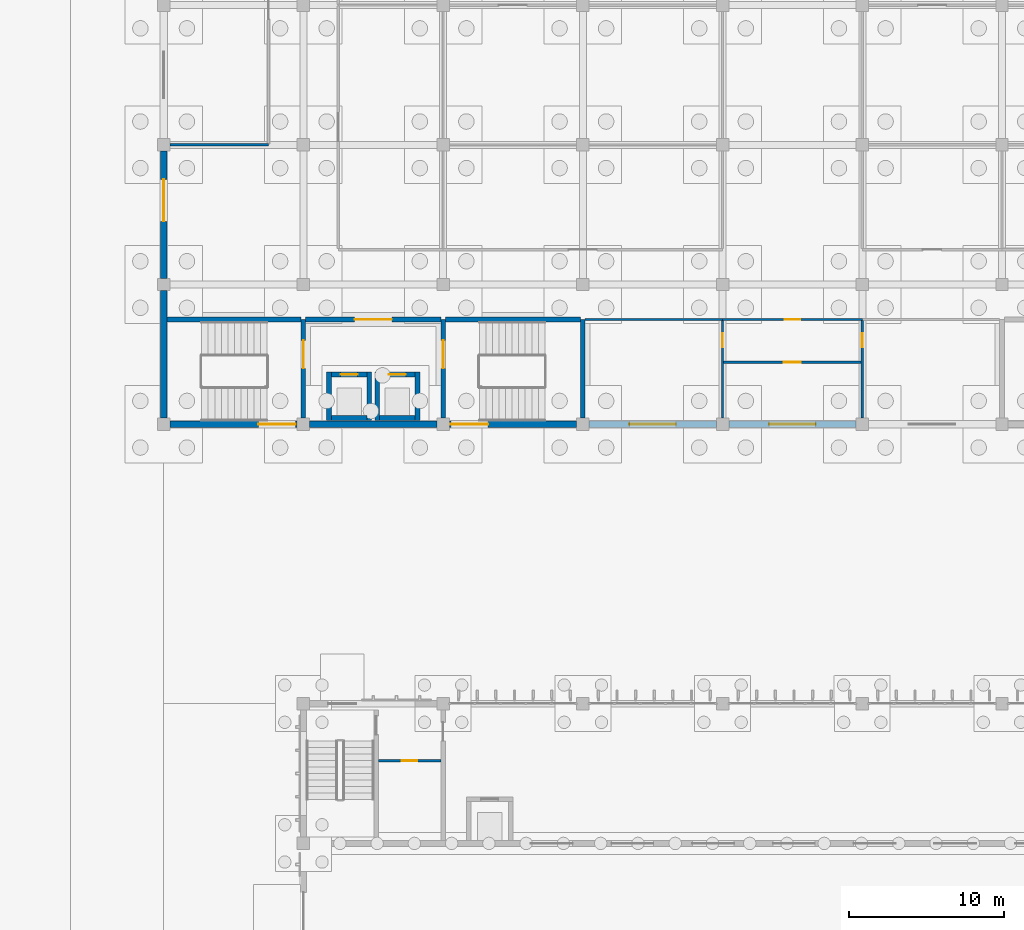
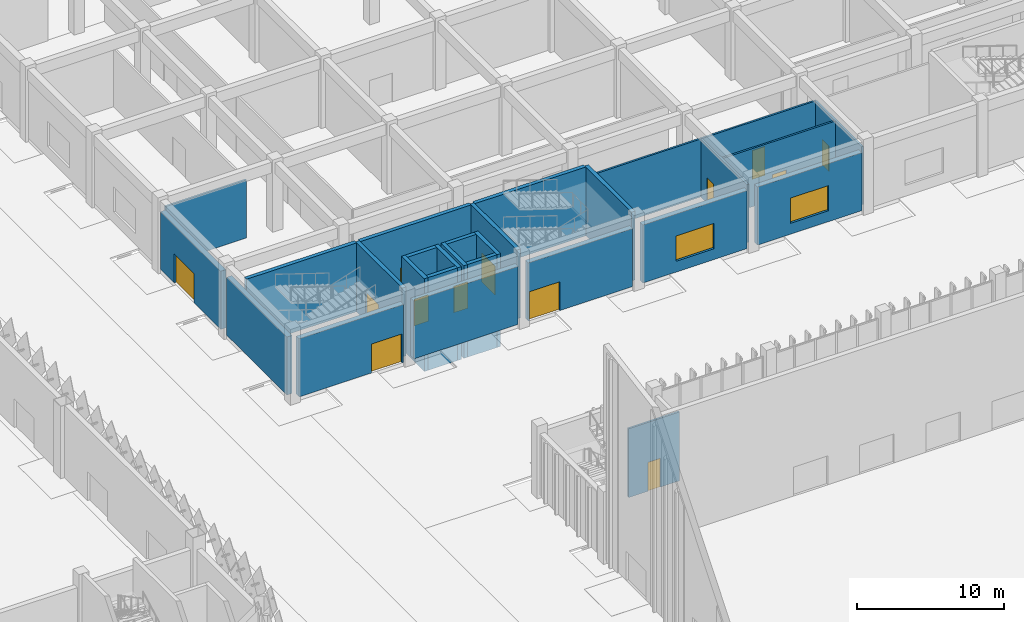
# One storey, part 101 of 198: 28 walls, 13 doors, 2 windows, 15 openings.
"""IFC4 building model written with IfcOpenShell, lengths in metres."""

from ifc_helpers import new_model, si_unit, direction, frame, frame_2d, origin, place, context, subcontext, project, spatial, rectangle, extrude, material, layer, layer_set, type_object, element, fill, save


model = new_model("IFC4")

# Units and contexts
model_context = context("Model", 3, precision=1e-05, world=origin(), true_north=direction((0.0, 1.0)))
body_context = subcontext(model_context, "Body", "Model", "MODEL_VIEW")
ifc_project = project(units=[si_unit("LENGTHUNIT", "METRE"), si_unit("AREAUNIT", "SQUARE_METRE"), si_unit("VOLUMEUNIT", "CUBIC_METRE"), si_unit("PLANEANGLEUNIT", "RADIAN"), si_unit("MASSUNIT", "GRAM", prefix="KILO")], contexts=[model_context])

# Site, building, storey
site_placement = place(None, origin())
site = spatial("IfcSite", under=ifc_project, at=site_placement, CompositionType="ELEMENT")
building_placement = place(site_placement, origin())
building = spatial("IfcBuilding", under=site, at=building_placement, Name="Opaline Strait Convention Centre", CompositionType="ELEMENT")
storey_placement = place(building_placement, origin())
storey = spatial("IfcBuildingStorey", under=building, at=storey_placement, Name="L00", CompositionType="ELEMENT", Elevation=0.0)

# Wall, opening, door
ifc_material_1 = material(Name="Gypsum board and steel stud partition", Category="steel")
ifc_layer_1 = layer(ifc_material_1, 0.14990234375)
ifc_layer_set_1 = layer_set([ifc_layer_1], Name="Gypsum board and steel stud partition")
wall_type_1 = type_object("IfcWallType", Name="Corridor partition 150 EI 60", PredefinedType="PARTITIONING", material=ifc_layer_set_1)
wall_1_placement = place(storey_placement, frame((292.85009765625, 68.324951171875, 0.0), z_axis=(0.0, 0.0, 1.0), x_axis=(1.0, 0.0, 0.0)))
wall_1 = element("IfcWall", 1, at=wall_1_placement, inside=storey, type_object=wall_type_1, Name="Lobby partition L00 NW", PredefinedType="PARTITIONING", context=body_context, shape_type="SweptSolid", body=[
    extrude(rectangle(XDim=4.0, YDim=0.14990234375, at=frame_2d((2.0, 0.0))), origin(), (0.0, 0.0, 1.0), 5.719970703125),
])
opening_1_placement = place(wall_1_placement, frame((1.5, 0.0, 0.0)))
opening_1 = element("IfcOpeningElement", 2, at=opening_1_placement, cuts=wall_1, Name="Opening B0-023", PredefinedType="OPENING", context=body_context, shape_type="SweptSolid", body=[
    extrude(rectangle(XDim=1.0, YDim=2.39990234375, at=frame_2d((0.5, 1.199951171875))), frame((0.0, 0.0849609375, 0.0), z_axis=(0.0, -1.0, 0.0), x_axis=(1.0, 0.0, 0.0)), (0.0, 0.0, 1.0), 0.169921875),
])
ifc_material_2 = material(Name="Solid timber door leaf", Category="wood")
door_type_1 = type_object("IfcDoorType", Name="Single room door 1000 x 2400", OperationType="SINGLE_SWING_LEFT", PredefinedType="DOOR", material=ifc_material_2)
door_1_placement = place(opening_1_placement, origin())
door_1 = element("IfcDoor", 3, at=door_1_placement, inside=storey, type_object=door_type_1, Name="Male WC door L00", ObjectType="BD3", OperationType="SINGLE_SWING_RIGHT", OverallHeight=2.39990234375, OverallWidth=1.0, PredefinedType="DOOR", context=body_context, shape_type="SweptSolid", body=[
    extrude(rectangle(XDim=1.0, YDim=2.39990234375, at=frame_2d((0.5, 1.199951171875))), frame((0.0, 0.02490234375, 0.0), z_axis=(0.0, -1.0, 0.0), x_axis=(1.0, 0.0, 0.0)), (0.0, 0.0, 1.0), 0.050048828125),
])
fill(opening_1, door_1)

# Walls
ifc_material_3 = material(Name="Gypsum board")
ifc_layer_2 = layer(ifc_material_3, 0.032470703125)
ifc_material_4 = material(Name="Steel stud and mineral wool", Category="steel")
ifc_layer_3 = layer(ifc_material_4, 0.0849609375)
ifc_layer_4 = layer(ifc_material_3, 0.032470703125)
ifc_layer_set_2 = layer_set([ifc_layer_2, ifc_layer_3, ifc_layer_4], Name="Gypsum board, Steel stud and mineral wool, Gypsum board")
wall_type_2 = type_object("IfcWallType", Name="Corridor partition 150 EI60", PredefinedType="PARTITIONING", material=ifc_layer_set_2)
wall_2_placement = place(storey_placement, frame((279.39990234375, 108.0, 0.0), z_axis=(0.0, 0.0, 1.0), x_axis=(1.0, 0.0, 0.0)))
element("IfcWall", 4, at=wall_2_placement, inside=storey, type_object=wall_type_2, Name="MPW1 partition Cloakroom 0.02 S", PredefinedType="PARTITIONING", context=body_context, shape_type="SweptSolid", body=[
    extrude(rectangle(XDim=6.35009765625, YDim=0.14990234375, at=frame_2d((3.175048828125, 0.0))), origin(), (0.0, 0.0, 1.0), 4.820068359375),
])
wall_3_placement = place(storey_placement, frame((306.14990234375, 96.75, 0.0), z_axis=(0.0, 0.0, 1.0), x_axis=(1.0, 0.0, 0.0)))
element("IfcWall", 5, at=wall_3_placement, inside=storey, type_object=wall_type_2, Name="MPW1 partition Men's WC 0.S N", PredefinedType="PARTITIONING", context=body_context, shape_type="SweptSolid", body=[
    extrude(rectangle(XDim=8.85009765625, YDim=0.14990234375, at=frame_2d((4.425048828125, 0.0))), origin(), (0.0, 0.0, 1.0), 4.820068359375),
])

# Wall, opening, door
wall_4_placement = place(storey_placement, frame((315.0, 96.75, 0.0), z_axis=(0.0, 0.0, 1.0), x_axis=(1.0, 0.0, 0.0)))
wall_4 = element("IfcWall", 6, at=wall_4_placement, inside=storey, type_object=wall_type_2, Name="MPW1 partition WC Lobby 0.S N", PredefinedType="PARTITIONING", context=body_context, shape_type="SweptSolid", body=[
    extrude(rectangle(XDim=9.0, YDim=0.14990234375, at=frame_2d((4.5, 0.0))), origin(), (0.0, 0.0, 1.0), 4.820068359375),
])
opening_2_placement = place(wall_4_placement, frame((4.0, 0.0, 0.0)))
opening_2 = element("IfcOpeningElement", 7, at=opening_2_placement, cuts=wall_4, Name="Opening M0-064", PredefinedType="OPENING", context=body_context, shape_type="SweptSolid", body=[
    extrude(rectangle(XDim=1.0, YDim=2.39990234375, at=frame_2d((0.5, 1.199951171875))), frame((0.0, 0.0849609375, 0.0), z_axis=(0.0, -1.0, 0.0), x_axis=(1.0, 0.0, 0.0)), (0.0, 0.0, 1.0), 0.169921875),
])
ifc_material_5 = material(Name="Solid-core timber leaf, steel frame door set", Category="steel")
door_type_2 = type_object("IfcDoorType", Name="Meeting room door FD30 1000 x 2400", OperationType="SINGLE_SWING_LEFT", PredefinedType="DOOR", material=ifc_material_5)
door_2_placement = place(opening_2_placement, origin())
door_2 = element("IfcDoor", 8, at=door_2_placement, inside=storey, type_object=door_type_2, Name="Door WC Lobby 0.S", ObjectType="MD8", OperationType="SINGLE_SWING_LEFT", OverallHeight=2.39990234375, OverallWidth=1.0, PredefinedType="DOOR", context=body_context, shape_type="SweptSolid", body=[
    extrude(rectangle(XDim=1.0, YDim=2.39990234375, at=frame_2d((0.5, 1.199951171875))), frame((0.0, 0.02490234375, 0.0), z_axis=(0.0, -1.0, 0.0), x_axis=(1.0, 0.0, 0.0)), (0.0, 0.0, 1.0), 0.050048828125),
])
fill(opening_2, door_2)

ifc_material_6 = material(Name="Concrete C40 precast", Category="concrete")
ifc_layer_5 = layer(ifc_material_6, 0.10009765625)
ifc_material_7 = material(Name="Mineral wool insulation")
ifc_layer_6 = layer(ifc_material_7, 0.14990234375)
ifc_layer_7 = layer(ifc_material_6, 0.14990234375)
ifc_layer_set_3 = layer_set([ifc_layer_5, ifc_layer_6, ifc_layer_7], Name="Concrete C40 precast, Mineral wool insulation, Concrete C40 precast")
wall_type_3 = type_object("IfcWallType", Name="External wall 400 insulated precast EI60", PredefinedType="STANDARD", material=ifc_layer_set_3)
wall_5_placement = place(storey_placement, frame((279.39990234375, 90.0, 0.0), z_axis=(0.0, 0.0, 1.0), x_axis=(1.0, 0.0, 0.0)))
wall_5 = element("IfcWall", 9, at=wall_5_placement, inside=storey, type_object=wall_type_3, Name="External wall S L00 32/L", PredefinedType="STANDARD", context=body_context, shape_type="SweptSolid", body=[
    extrude(rectangle(XDim=8.2001953125, YDim=0.39990234375, at=frame_2d((4.10009765625, 0.0))), origin(), (0.0, 0.0, 1.0), 4.820068359375),
])
opening_3_placement = place(wall_5_placement, frame((5.7001953125, 0.0, 0.0)))
opening_3 = element("IfcOpeningElement", 10, at=opening_3_placement, cuts=wall_5, Name="Opening M0-001", PredefinedType="OPENING", context=body_context, shape_type="SweptSolid", body=[
    extrude(rectangle(XDim=2.39990234375, YDim=2.39990234375, at=frame_2d((1.199951171875, 1.199951171875))), frame((0.0, 0.2099609375, 0.0), z_axis=(0.0, -1.0, 0.0), x_axis=(1.0, 0.0, 0.0)), (0.0, 0.0, 1.0), 0.419921875),
])
ifc_material_8 = material(Name="Aluminium framed glazed door", Category="aluminium")
door_type_3 = type_object("IfcDoorType", Name="Exit double door glazed 2400 x 2400", OperationType="DOUBLE_DOOR_SINGLE_SWING", PredefinedType="DOOR", material=ifc_material_8)
door_3_placement = place(opening_3_placement, frame((2.39990234375, 0.0, 0.0), z_axis=(0.0, 0.0, 1.0), x_axis=(-1.0, 0.0, 0.0)))
door_3 = element("IfcDoor", 11, at=door_3_placement, inside=storey, type_object=door_type_3, Name="Stair exit door Escape Stair S1", ObjectType="MD1", OperationType="DOUBLE_DOOR_SINGLE_SWING", OverallHeight=2.39990234375, OverallWidth=2.39990234375, PredefinedType="DOOR", context=body_context, shape_type="SweptSolid", body=[
    extrude(rectangle(XDim=2.39990234375, YDim=2.39990234375, at=frame_2d((1.199951171875, 1.199951171875))), frame((0.0, 0.02490234375, 0.0), z_axis=(0.0, -1.0, 0.0), x_axis=(1.0, 0.0, 0.0)), (0.0, 0.0, 1.0), 0.050048828125),
])
fill(opening_3, door_3)

# Wall
wall_6_placement = place(storey_placement, frame((288.39990234375, 90.0, 0.0), z_axis=(0.0, 0.0, 1.0), x_axis=(1.0, 0.0, 0.0)))
element("IfcWall", 12, at=wall_6_placement, inside=storey, type_object=wall_type_3, Name="External wall S L00 33/L", PredefinedType="STANDARD", context=body_context, shape_type="SweptSolid", body=[
    extrude(rectangle(XDim=8.2001953125, YDim=0.39990234375, at=frame_2d((4.10009765625, 0.0))), origin(), (0.0, 0.0, 1.0), 4.820068359375),
])

# Wall, opening, door
wall_7_placement = place(storey_placement, frame((297.39990234375, 90.0, 0.0), z_axis=(0.0, 0.0, 1.0), x_axis=(1.0, 0.0, 0.0)))
wall_7 = element("IfcWall", 13, at=wall_7_placement, inside=storey, type_object=wall_type_3, Name="External wall S L00 34/L", PredefinedType="STANDARD", context=body_context, shape_type="SweptSolid", body=[
    extrude(rectangle(XDim=8.2001953125, YDim=0.39990234375, at=frame_2d((4.10009765625, 0.0))), origin(), (0.0, 0.0, 1.0), 4.820068359375),
])
opening_4_placement = place(wall_7_placement, frame((0.10009765625, 0.0, 0.0)))
opening_4 = element("IfcOpeningElement", 14, at=opening_4_placement, cuts=wall_7, Name="Opening M0-002", PredefinedType="OPENING", context=body_context, shape_type="SweptSolid", body=[
    extrude(rectangle(XDim=2.39990234375, YDim=2.39990234375, at=frame_2d((1.199951171875, 1.199951171875))), frame((0.0, 0.2099609375, 0.0), z_axis=(0.0, -1.0, 0.0), x_axis=(1.0, 0.0, 0.0)), (0.0, 0.0, 1.0), 0.419921875),
])
door_4_placement = place(opening_4_placement, frame((2.39990234375, 0.0, 0.0), z_axis=(0.0, 0.0, 1.0), x_axis=(-1.0, 0.0, 0.0)))
door_4 = element("IfcDoor", 15, at=door_4_placement, inside=storey, type_object=door_type_3, Name="Stair exit door Escape Stair S2", ObjectType="MD1", OperationType="DOUBLE_DOOR_SINGLE_SWING", OverallHeight=2.39990234375, OverallWidth=2.39990234375, PredefinedType="DOOR", context=body_context, shape_type="SweptSolid", body=[
    extrude(rectangle(XDim=2.39990234375, YDim=2.39990234375, at=frame_2d((1.199951171875, 1.199951171875))), frame((0.0, 0.02490234375, 0.0), z_axis=(0.0, -1.0, 0.0), x_axis=(1.0, 0.0, 0.0)), (0.0, 0.0, 1.0), 0.050048828125),
])
fill(opening_4, door_4)

# Wall, opening, window
wall_8_placement = place(storey_placement, frame((306.39990234375, 90.0, 0.0), z_axis=(0.0, 0.0, 1.0), x_axis=(1.0, 0.0, 0.0)))
wall_8 = element("IfcWall", 16, at=wall_8_placement, inside=storey, type_object=wall_type_3, Name="External wall S L00 35/L", PredefinedType="STANDARD", context=body_context, shape_type="SweptSolid", body=[
    extrude(rectangle(XDim=8.2001953125, YDim=0.39990234375, at=frame_2d((4.10009765625, 0.0))), origin(), (0.0, 0.0, 1.0), 4.820068359375),
])
opening_5_placement = place(wall_8_placement, frame((2.60009765625, 0.0, 0.89990234375)))
opening_5 = element("IfcOpeningElement", 17, at=opening_5_placement, cuts=wall_8, Name="Opening MW2", PredefinedType="OPENING", context=body_context, shape_type="SweptSolid", body=[
    extrude(rectangle(XDim=3.0, YDim=2.10009765625, at=frame_2d((1.5, 1.050048828125))), frame((0.0, 0.2099609375, 0.0), z_axis=(0.0, -1.0, 0.0), x_axis=(1.0, 0.0, 0.0)), (0.0, 0.0, 1.0), 0.419921875),
])
ifc_material_9 = material(Name="Aluminium framed double glazing", Category="aluminium")
window_type = type_object("IfcWindowType", Name="Window 3000 x 2100", PartitioningType="TRIPLE_PANEL_VERTICAL", PredefinedType="WINDOW", material=ifc_material_9)
window_1_placement = place(opening_5_placement, origin())
window_1 = element("IfcWindow", 18, at=window_1_placement, inside=storey, type_object=window_type, Name="Window Men's WC 0.S S", OverallHeight=2.10009765625, OverallWidth=3.0, PartitioningType="TRIPLE_PANEL_VERTICAL", PredefinedType="WINDOW", context=body_context, shape_type="SweptSolid", body=[
    extrude(rectangle(XDim=3.0, YDim=2.10009765625, at=frame_2d((1.5, 1.050048828125))), frame((0.0, 0.030029296875, 0.0), z_axis=(0.0, -1.0, 0.0), x_axis=(1.0, 0.0, 0.0)), (0.0, 0.0, 1.0), 0.06005859375),
])
fill(opening_5, window_1)

wall_9_placement = place(storey_placement, frame((315.39990234375, 90.0, 0.0), z_axis=(0.0, 0.0, 1.0), x_axis=(1.0, 0.0, 0.0)))
wall_9 = element("IfcWall", 19, at=wall_9_placement, inside=storey, type_object=wall_type_3, Name="External wall S L00 36/L", PredefinedType="STANDARD", context=body_context, shape_type="SweptSolid", body=[
    extrude(rectangle(XDim=8.2001953125, YDim=0.39990234375, at=frame_2d((4.10009765625, 0.0))), origin(), (0.0, 0.0, 1.0), 4.820068359375),
])
opening_6_placement = place(wall_9_placement, frame((2.60009765625, 0.0, 0.89990234375)))
opening_6 = element("IfcOpeningElement", 20, at=opening_6_placement, cuts=wall_9, Name="Opening MW2", PredefinedType="OPENING", context=body_context, shape_type="SweptSolid", body=[
    extrude(rectangle(XDim=3.0, YDim=2.10009765625, at=frame_2d((1.5, 1.050048828125))), frame((0.0, 0.2099609375, 0.0), z_axis=(0.0, -1.0, 0.0), x_axis=(1.0, 0.0, 0.0)), (0.0, 0.0, 1.0), 0.419921875),
])
window_2_placement = place(opening_6_placement, origin())
window_2 = element("IfcWindow", 21, at=window_2_placement, inside=storey, type_object=window_type, Name="Window Accessible WC 0.S S", OverallHeight=2.10009765625, OverallWidth=3.0, PartitioningType="TRIPLE_PANEL_VERTICAL", PredefinedType="WINDOW", context=body_context, shape_type="SweptSolid", body=[
    extrude(rectangle(XDim=3.0, YDim=2.10009765625, at=frame_2d((1.5, 1.050048828125))), frame((0.0, 0.030029296875, 0.0), z_axis=(0.0, -1.0, 0.0), x_axis=(1.0, 0.0, 0.0)), (0.0, 0.0, 1.0), 0.06005859375),
])
fill(opening_6, window_2)

# Wall
wall_10_placement = place(storey_placement, frame((279.0, 90.39990234375, 0.0), z_axis=(0.0, 0.0, 1.0), x_axis=(0.0, 1.0, 0.0)))
element("IfcWall", 22, at=wall_10_placement, inside=storey, type_object=wall_type_3, Name="External wall W L00 32/L", PredefinedType="STANDARD", context=body_context, shape_type="SweptSolid", body=[
    extrude(rectangle(XDim=8.2001953125, YDim=0.39990234375, at=frame_2d((4.10009765625, 0.0))), origin(), (0.0, 0.0, 1.0), 4.820068359375),
])

# Wall, opening, door
wall_11_placement = place(storey_placement, frame((279.0, 99.39990234375, 0.0), z_axis=(0.0, 0.0, 1.0), x_axis=(0.0, 1.0, 0.0)))
wall_11 = element("IfcWall", 23, at=wall_11_placement, inside=storey, type_object=wall_type_3, Name="External wall W L00 32/M", PredefinedType="STANDARD", context=body_context, shape_type="SweptSolid", body=[
    extrude(rectangle(XDim=8.2001953125, YDim=0.39990234375, at=frame_2d((4.10009765625, 0.0))), origin(), (0.0, 0.0, 1.0), 4.820068359375),
])
opening_7_placement = place(wall_11_placement, frame((3.675048828125, 0.0, 0.0)))
opening_7 = element("IfcOpeningElement", 24, at=opening_7_placement, cuts=wall_11, Name="Opening M0-012", PredefinedType="OPENING", context=body_context, shape_type="SweptSolid", body=[
    extrude(rectangle(XDim=2.699951171875, YDim=2.39990234375, at=frame_2d((1.35009765625, 1.199951171875))), frame((0.0, 0.2099609375, 0.0), z_axis=(0.0, -1.0, 0.0), x_axis=(1.0, 0.0, 0.0)), (0.0, 0.0, 1.0), 0.419921875),
])
ifc_material_10 = material(Name="Fire-resisting glazed aluminium door", Category="aluminium")
door_type_4 = type_object("IfcDoorType", Name="Exit double door FD60 2700 x 2400", OperationType="DOUBLE_DOOR_SINGLE_SWING", PredefinedType="DOOR", material=ifc_material_10)
door_5_placement = place(opening_7_placement, origin())
door_5 = element("IfcDoor", 25, at=door_5_placement, inside=storey, type_object=door_type_4, Name="Exit door Exit Lobby 0.01", ObjectType="MD3", OperationType="DOUBLE_DOOR_SINGLE_SWING", OverallHeight=2.39990234375, OverallWidth=2.699951171875, PredefinedType="DOOR", context=body_context, shape_type="SweptSolid", body=[
    extrude(rectangle(XDim=2.699951171875, YDim=2.39990234375, at=frame_2d((1.35009765625, 1.199951171875))), frame((0.0, 0.02490234375, 0.0), z_axis=(0.0, -1.0, 0.0), x_axis=(1.0, 0.0, 0.0)), (0.0, 0.0, 1.0), 0.050048828125),
])
fill(opening_7, door_5)

ifc_material_11 = material(Name="Concrete C40", Category="concrete")
ifc_layer_8 = layer(ifc_material_11, 0.300048828125)
ifc_layer_set_4 = layer_set([ifc_layer_8], Name="Concrete C40")
wall_type_4 = type_object("IfcWallType", Name="RC core wall 300 C40", PredefinedType="SHEAR", material=ifc_layer_set_4)
wall_12_placement = place(storey_placement, frame((288.0, 90.39990234375, 0.0), z_axis=(0.0, 0.0, 1.0), x_axis=(0.0, 1.0, 0.0)))
wall_12 = element("IfcWall", 26, at=wall_12_placement, inside=storey, type_object=wall_type_4, Name="Core wall SW-L00", PredefinedType="SHEAR", context=body_context, shape_type="SweptSolid", body=[
    extrude(rectangle(XDim=6.35009765625, YDim=0.300048828125, at=frame_2d((3.175048828125, 0.0))), origin(), (0.0, 0.0, 1.0), 5.719970703125),
])
opening_8_placement = place(wall_12_placement, frame((3.2001953125, 0.0, 0.0)))
opening_8 = element("IfcOpeningElement", 27, at=opening_8_placement, cuts=wall_12, Name="Opening M0-018", PredefinedType="OPENING", context=body_context, shape_type="SweptSolid", body=[
    extrude(rectangle(XDim=1.800048828125, YDim=2.39990234375, at=frame_2d((0.89990234375, 1.199951171875))), frame((0.0, 0.159912109375, 0.0), z_axis=(0.0, -1.0, 0.0), x_axis=(1.0, 0.0, 0.0)), (0.0, 0.0, 1.0), 0.320068359375),
])
ifc_material_12 = material(Name="Steel Q235B", Category="steel")
door_type_5 = type_object("IfcDoorType", Name="Stair door FD60 1800 x 2400", OperationType="DOUBLE_DOOR_SINGLE_SWING", PredefinedType="DOOR", material=ifc_material_12)
door_6_placement = place(opening_8_placement, frame((1.800048828125, 0.0, 0.0), z_axis=(0.0, 0.0, 1.0), x_axis=(-1.0, 0.0, 0.0)))
door_6 = element("IfcDoor", 28, at=door_6_placement, inside=storey, type_object=door_type_5, Name="Escape stair S1 door L00", ObjectType="MD4", OperationType="DOUBLE_DOOR_SINGLE_SWING", OverallHeight=2.39990234375, OverallWidth=1.800048828125, PredefinedType="DOOR", context=body_context, shape_type="SweptSolid", body=[
    extrude(rectangle(XDim=1.800048828125, YDim=2.39990234375, at=frame_2d((0.89990234375, 1.199951171875))), frame((0.0, 0.02490234375, 0.0), z_axis=(0.0, -1.0, 0.0), x_axis=(1.0, 0.0, 0.0)), (0.0, 0.0, 1.0), 0.050048828125),
])
fill(opening_8, door_6)

wall_13_placement = place(storey_placement, frame((297.0, 90.39990234375, 0.0), z_axis=(0.0, 0.0, 1.0), x_axis=(0.0, 1.0, 0.0)))
wall_13 = element("IfcWall", 29, at=wall_13_placement, inside=storey, type_object=wall_type_4, Name="Core wall SW-L00", PredefinedType="SHEAR", context=body_context, shape_type="SweptSolid", body=[
    extrude(rectangle(XDim=6.35009765625, YDim=0.300048828125, at=frame_2d((3.175048828125, 0.0))), origin(), (0.0, 0.0, 1.0), 5.719970703125),
])
opening_9_placement = place(wall_13_placement, frame((3.2001953125, 0.0, 0.0)))
opening_9 = element("IfcOpeningElement", 30, at=opening_9_placement, cuts=wall_13, Name="Opening M0-019", PredefinedType="OPENING", context=body_context, shape_type="SweptSolid", body=[
    extrude(rectangle(XDim=1.800048828125, YDim=2.39990234375, at=frame_2d((0.89990234375, 1.199951171875))), frame((0.0, 0.159912109375, 0.0), z_axis=(0.0, -1.0, 0.0), x_axis=(1.0, 0.0, 0.0)), (0.0, 0.0, 1.0), 0.320068359375),
])
door_7_placement = place(opening_9_placement, origin())
door_7 = element("IfcDoor", 31, at=door_7_placement, inside=storey, type_object=door_type_5, Name="Escape stair S2 door L00", ObjectType="MD4", OperationType="DOUBLE_DOOR_SINGLE_SWING", OverallHeight=2.39990234375, OverallWidth=1.800048828125, PredefinedType="DOOR", context=body_context, shape_type="SweptSolid", body=[
    extrude(rectangle(XDim=1.800048828125, YDim=2.39990234375, at=frame_2d((0.89990234375, 1.199951171875))), frame((0.0, 0.02490234375, 0.0), z_axis=(0.0, -1.0, 0.0), x_axis=(1.0, 0.0, 0.0)), (0.0, 0.0, 1.0), 0.050048828125),
])
fill(opening_9, door_7)

# Walls
wall_14_placement = place(storey_placement, frame((306.0, 90.39990234375, 0.0), z_axis=(0.0, 0.0, 1.0), x_axis=(0.0, 1.0, 0.0)))
element("IfcWall", 32, at=wall_14_placement, inside=storey, type_object=wall_type_4, Name="Core wall SW-L00", PredefinedType="SHEAR", context=body_context, shape_type="SweptSolid", body=[
    extrude(rectangle(XDim=6.35009765625, YDim=0.300048828125, at=frame_2d((3.175048828125, 0.0))), origin(), (0.0, 0.0, 1.0), 5.719970703125),
])
wall_15_placement = place(storey_placement, frame((279.199951171875, 96.75, 0.0), z_axis=(0.0, 0.0, 1.0), x_axis=(1.0, 0.0, 0.0)))
element("IfcWall", 33, at=wall_15_placement, inside=storey, type_object=wall_type_4, Name="Core wall SW-L00", PredefinedType="SHEAR", context=body_context, shape_type="SweptSolid", body=[
    extrude(rectangle(XDim=8.650146484375, YDim=0.300048828125, at=frame_2d((4.3251953125, 0.0))), origin(), (0.0, 0.0, 1.0), 5.719970703125),
])

# Wall, opening, door
wall_16_placement = place(storey_placement, frame((288.14990234375, 96.75, 0.0), z_axis=(0.0, 0.0, 1.0), x_axis=(1.0, 0.0, 0.0)))
wall_16 = element("IfcWall", 34, at=wall_16_placement, inside=storey, type_object=wall_type_4, Name="Core wall SW-L00", PredefinedType="SHEAR", context=body_context, shape_type="SweptSolid", body=[
    extrude(rectangle(XDim=8.7001953125, YDim=0.300048828125, at=frame_2d((4.35009765625, 0.0))), origin(), (0.0, 0.0, 1.0), 5.719970703125),
])
opening_10_placement = place(wall_16_placement, frame((3.150146484375, 0.0, 0.0)))
opening_10 = element("IfcOpeningElement", 35, at=opening_10_placement, cuts=wall_16, Name="Opening M0-020", PredefinedType="OPENING", context=body_context, shape_type="SweptSolid", body=[
    extrude(rectangle(XDim=2.39990234375, YDim=2.39990234375, at=frame_2d((1.199951171875, 1.199951171875))), frame((0.0, 0.159912109375, 0.0), z_axis=(0.0, -1.0, 0.0), x_axis=(1.0, 0.0, 0.0)), (0.0, 0.0, 1.0), 0.320068359375),
])
door_type_6 = type_object("IfcDoorType", Name="Lift lobby double door FD60 2400 x 2400", OperationType="DOUBLE_DOOR_SINGLE_SWING", PredefinedType="DOOR", material=ifc_material_12)
door_8_placement = place(opening_10_placement, origin())
door_8 = element("IfcDoor", 36, at=door_8_placement, inside=storey, type_object=door_type_6, Name="Lift lobby SW door L00", ObjectType="MD5", OperationType="DOUBLE_DOOR_SINGLE_SWING", OverallHeight=2.39990234375, OverallWidth=2.39990234375, PredefinedType="DOOR", context=body_context, shape_type="SweptSolid", body=[
    extrude(rectangle(XDim=2.39990234375, YDim=2.39990234375, at=frame_2d((1.199951171875, 1.199951171875))), frame((0.0, 0.02490234375, 0.0), z_axis=(0.0, -1.0, 0.0), x_axis=(1.0, 0.0, 0.0)), (0.0, 0.0, 1.0), 0.050048828125),
])
fill(opening_10, door_8)

# Walls
wall_17_placement = place(storey_placement, frame((297.14990234375, 96.75, 0.0), z_axis=(0.0, 0.0, 1.0), x_axis=(1.0, 0.0, 0.0)))
element("IfcWall", 37, at=wall_17_placement, inside=storey, type_object=wall_type_4, Name="Core wall SW-L00", PredefinedType="SHEAR", context=body_context, shape_type="SweptSolid", body=[
    extrude(rectangle(XDim=8.7001953125, YDim=0.300048828125, at=frame_2d((4.35009765625, 0.0))), origin(), (0.0, 0.0, 1.0), 5.719970703125),
])
ifc_layer_9 = layer(ifc_material_11, 0.300048828125)
ifc_layer_set_5 = layer_set([ifc_layer_9], Name="Concrete C40")
wall_type_5 = type_object("IfcWallType", Name="RC lift shaft wall 300 C40", PredefinedType="SHEAR", material=ifc_layer_set_5)
for number, where, z_axis, x_axis, name in (
    (38, (289.64990234375, 90.25, -1.699951171875), (0.0, 0.0, 1.0), (0.0, 1.0, 0.0), "Lift shaft SW1 wall L00"),
    (39, (292.25, 90.25, -1.699951171875), (0.0, 0.0, 1.0), (0.0, 1.0, 0.0), "Lift shaft SW1 wall L00"),
):
    element("IfcWall", number, at=place(storey_placement, frame(where, z_axis=z_axis, x_axis=x_axis)), inside=storey, type_object=wall_type_5, Name=name, PredefinedType="SHEAR", context=body_context, shape_type="SweptSolid", body=[
        extrude(rectangle(XDim=3.10009765625, YDim=0.300048828125, at=frame_2d((1.550048828125, 0.0))), origin(), (0.0, 0.0, 1.0), 7.699951171875),
    ])
wall_18_placement = place(storey_placement, frame((289.800048828125, 90.39990234375, -1.699951171875), z_axis=(0.0, 0.0, 1.0), x_axis=(1.0, 0.0, 0.0)))
element("IfcWall", 40, at=wall_18_placement, inside=storey, type_object=wall_type_5, Name="Lift shaft SW1 wall L00", PredefinedType="SHEAR", context=body_context, shape_type="SweptSolid", body=[
    extrude(rectangle(XDim=2.300048828125, YDim=0.300048828125, at=frame_2d((1.14990234375, 0.0))), origin(), (0.0, 0.0, 1.0), 7.699951171875),
])

# Wall, opening, door
wall_19_placement = place(storey_placement, frame((289.800048828125, 93.199951171875, -1.699951171875), z_axis=(0.0, 0.0, 1.0), x_axis=(1.0, 0.0, 0.0)))
wall_19 = element("IfcWall", 41, at=wall_19_placement, inside=storey, type_object=wall_type_5, Name="Lift shaft SW1 wall L00", PredefinedType="SHEAR", context=body_context, shape_type="SweptSolid", body=[
    extrude(rectangle(XDim=2.300048828125, YDim=0.300048828125, at=frame_2d((1.14990234375, 0.0))), origin(), (0.0, 0.0, 1.0), 7.699951171875),
])
opening_11_placement = place(wall_19_placement, frame((0.599853515625, 0.0, 1.699951171875)))
opening_11 = element("IfcOpeningElement", 42, at=opening_11_placement, cuts=wall_19, Name="Opening M0-021", PredefinedType="OPENING", context=body_context, shape_type="SweptSolid", body=[
    extrude(rectangle(XDim=1.10009765625, YDim=2.199951171875, at=frame_2d((0.550048828125, 1.10009765625))), frame((0.0, 0.159912109375, 0.0), z_axis=(0.0, -1.0, 0.0), x_axis=(1.0, 0.0, 0.0)), (0.0, 0.0, 1.0), 0.320068359375),
])
ifc_material_13 = material(Name="Stainless steel 304", Category="steel")
door_type_7 = type_object("IfcDoorType", Name="Lift landing door FD60 1100 x 2200", OperationType="SLIDING_TO_LEFT", PredefinedType="DOOR", material=ifc_material_13)
door_9_placement = place(opening_11_placement, origin())
door_9 = element("IfcDoor", 43, at=door_9_placement, inside=storey, type_object=door_type_7, Name="Lift landing door SW1 L00", ObjectType="MD6", OperationType="SLIDING_TO_RIGHT", OverallHeight=2.199951171875, OverallWidth=1.10009765625, PredefinedType="DOOR", context=body_context, shape_type="SweptSolid", body=[
    extrude(rectangle(XDim=1.10009765625, YDim=2.199951171875, at=frame_2d((0.550048828125, 1.10009765625))), frame((0.0, 0.02490234375, 0.0), z_axis=(0.0, -1.0, 0.0), x_axis=(1.0, 0.0, 0.0)), (0.0, 0.0, 1.0), 0.050048828125),
])
fill(opening_11, door_9)

# Walls
for number, where, z_axis, x_axis, name in (
    (44, (292.75, 90.25, -1.699951171875), (0.0, 0.0, 1.0), (0.0, 1.0, 0.0), "Lift shaft SW2 wall L00"),
    (45, (295.35009765625, 90.25, -1.699951171875), (0.0, 0.0, 1.0), (0.0, 1.0, 0.0), "Lift shaft SW2 wall L00"),
):
    element("IfcWall", number, at=place(storey_placement, frame(where, z_axis=z_axis, x_axis=x_axis)), inside=storey, type_object=wall_type_5, Name=name, PredefinedType="SHEAR", context=body_context, shape_type="SweptSolid", body=[
        extrude(rectangle(XDim=3.10009765625, YDim=0.300048828125, at=frame_2d((1.550048828125, 0.0))), origin(), (0.0, 0.0, 1.0), 7.699951171875),
    ])
wall_20_placement = place(storey_placement, frame((292.89990234375, 90.39990234375, -1.699951171875), z_axis=(0.0, 0.0, 1.0), x_axis=(1.0, 0.0, 0.0)))
element("IfcWall", 46, at=wall_20_placement, inside=storey, type_object=wall_type_5, Name="Lift shaft SW2 wall L00", PredefinedType="SHEAR", context=body_context, shape_type="SweptSolid", body=[
    extrude(rectangle(XDim=2.300048828125, YDim=0.300048828125, at=frame_2d((1.14990234375, 0.0))), origin(), (0.0, 0.0, 1.0), 7.699951171875),
])

# Wall, opening, door
wall_21_placement = place(storey_placement, frame((292.89990234375, 93.199951171875, -1.699951171875), z_axis=(0.0, 0.0, 1.0), x_axis=(1.0, 0.0, 0.0)))
wall_21 = element("IfcWall", 47, at=wall_21_placement, inside=storey, type_object=wall_type_5, Name="Lift shaft SW2 wall L00", PredefinedType="SHEAR", context=body_context, shape_type="SweptSolid", body=[
    extrude(rectangle(XDim=2.300048828125, YDim=0.300048828125, at=frame_2d((1.14990234375, 0.0))), origin(), (0.0, 0.0, 1.0), 7.699951171875),
])
opening_12_placement = place(wall_21_placement, frame((0.60009765625, 0.0, 1.699951171875)))
opening_12 = element("IfcOpeningElement", 48, at=opening_12_placement, cuts=wall_21, Name="Opening M0-022", PredefinedType="OPENING", context=body_context, shape_type="SweptSolid", body=[
    extrude(rectangle(XDim=1.10009765625, YDim=2.199951171875, at=frame_2d((0.550048828125, 1.10009765625))), frame((0.0, 0.159912109375, 0.0), z_axis=(0.0, -1.0, 0.0), x_axis=(1.0, 0.0, 0.0)), (0.0, 0.0, 1.0), 0.320068359375),
])
door_10_placement = place(opening_12_placement, origin())
door_10 = element("IfcDoor", 49, at=door_10_placement, inside=storey, type_object=door_type_7, Name="Lift landing door SW2 L00", ObjectType="MD6", OperationType="SLIDING_TO_LEFT", OverallHeight=2.199951171875, OverallWidth=1.10009765625, PredefinedType="DOOR", context=body_context, shape_type="SweptSolid", body=[
    extrude(rectangle(XDim=1.10009765625, YDim=2.199951171875, at=frame_2d((0.550048828125, 1.10009765625))), frame((0.0, 0.02490234375, 0.0), z_axis=(0.0, -1.0, 0.0), x_axis=(1.0, 0.0, 0.0)), (0.0, 0.0, 1.0), 0.050048828125),
])
fill(opening_12, door_10)

ifc_layer_10 = layer(ifc_material_3, 0.032470703125)
ifc_layer_11 = layer(ifc_material_4, 0.0849609375)
ifc_layer_12 = layer(ifc_material_3, 0.032470703125)
ifc_layer_set_6 = layer_set([ifc_layer_10, ifc_layer_11, ifc_layer_12], Name="Gypsum board, Steel stud and mineral wool, Gypsum board")
wall_type_6 = type_object("IfcWallType", Name="Wet-area partition 150 EI45", PredefinedType="PARTITIONING", material=ifc_layer_set_6)
wall_22_placement = place(storey_placement, frame((315.0, 90.39990234375, 0.0), z_axis=(0.0, 0.0, 1.0), x_axis=(0.0, 1.0, 0.0)))
wall_22 = element("IfcWall", 50, at=wall_22_placement, inside=storey, type_object=wall_type_6, Name="MPW4 partition Men's WC 0.S E", PredefinedType="PARTITIONING", context=body_context, shape_type="SweptSolid", body=[
    extrude(rectangle(XDim=6.275146484375, YDim=0.14990234375, at=frame_2d((3.1376953125, 0.0))), origin(), (0.0, 0.0, 1.0), 4.820068359375),
])
opening_13_placement = place(wall_22_placement, frame((4.550048828125, 0.0, 0.0)))
opening_13 = element("IfcOpeningElement", 51, at=opening_13_placement, cuts=wall_22, Name="Opening M0-061", PredefinedType="OPENING", context=body_context, shape_type="SweptSolid", body=[
    extrude(rectangle(XDim=0.89990234375, YDim=2.10009765625, at=frame_2d((0.449951171875, 1.050048828125))), frame((0.0, 0.0849609375, 0.0), z_axis=(0.0, -1.0, 0.0), x_axis=(1.0, 0.0, 0.0)), (0.0, 0.0, 1.0), 0.169921875),
])
door_type_8 = type_object("IfcDoorType", Name="WC door 900 x 2100", OperationType="SINGLE_SWING_LEFT", PredefinedType="DOOR", material=ifc_material_5)
door_11_placement = place(opening_13_placement, origin())
door_11 = element("IfcDoor", 52, at=door_11_placement, inside=storey, type_object=door_type_8, Name="Door Men's WC 0.S", ObjectType="MD11", OperationType="SINGLE_SWING_RIGHT", OverallHeight=2.10009765625, OverallWidth=0.89990234375, PredefinedType="DOOR", context=body_context, shape_type="SweptSolid", body=[
    extrude(rectangle(XDim=0.89990234375, YDim=2.10009765625, at=frame_2d((0.449951171875, 1.050048828125))), frame((0.0, 0.02490234375, 0.0), z_axis=(0.0, -1.0, 0.0), x_axis=(1.0, 0.0, 0.0)), (0.0, 0.0, 1.0), 0.050048828125),
])
fill(opening_13, door_11)

wall_23_placement = place(storey_placement, frame((324.0, 90.39990234375, 0.0), z_axis=(0.0, 0.0, 1.0), x_axis=(0.0, 1.0, 0.0)))
wall_23 = element("IfcWall", 53, at=wall_23_placement, inside=storey, type_object=wall_type_6, Name="MPW4 partition Women's WC 0.S W", PredefinedType="PARTITIONING", context=body_context, shape_type="SweptSolid", body=[
    extrude(rectangle(XDim=6.275146484375, YDim=0.14990234375, at=frame_2d((3.1376953125, 0.0))), origin(), (0.0, 0.0, 1.0), 4.820068359375),
])
opening_14_placement = place(wall_23_placement, frame((4.550048828125, 0.0, 0.0)))
opening_14 = element("IfcOpeningElement", 54, at=opening_14_placement, cuts=wall_23, Name="Opening M0-062", PredefinedType="OPENING", context=body_context, shape_type="SweptSolid", body=[
    extrude(rectangle(XDim=0.89990234375, YDim=2.10009765625, at=frame_2d((0.449951171875, 1.050048828125))), frame((0.0, 0.0849609375, 0.0), z_axis=(0.0, -1.0, 0.0), x_axis=(1.0, 0.0, 0.0)), (0.0, 0.0, 1.0), 0.169921875),
])
door_12_placement = place(opening_14_placement, frame((0.89990234375, 0.0, 0.0), z_axis=(0.0, 0.0, 1.0), x_axis=(-1.0, 0.0, 0.0)))
door_12 = element("IfcDoor", 55, at=door_12_placement, inside=storey, type_object=door_type_8, Name="Door Women's WC 0.S", ObjectType="MD11", OperationType="SINGLE_SWING_RIGHT", OverallHeight=2.10009765625, OverallWidth=0.89990234375, PredefinedType="DOOR", context=body_context, shape_type="SweptSolid", body=[
    extrude(rectangle(XDim=0.89990234375, YDim=2.10009765625, at=frame_2d((0.449951171875, 1.050048828125))), frame((0.0, 0.02490234375, 0.0), z_axis=(0.0, -1.0, 0.0), x_axis=(1.0, 0.0, 0.0)), (0.0, 0.0, 1.0), 0.050048828125),
])
fill(opening_14, door_12)

wall_24_placement = place(storey_placement, frame((315.074951171875, 94.0, 0.0), z_axis=(0.0, 0.0, 1.0), x_axis=(1.0, 0.0, 0.0)))
wall_24 = element("IfcWall", 56, at=wall_24_placement, inside=storey, type_object=wall_type_6, Name="MPW4 partition Accessible WC 0.S N", PredefinedType="PARTITIONING", context=body_context, shape_type="SweptSolid", body=[
    extrude(rectangle(XDim=8.85009765625, YDim=0.14990234375, at=frame_2d((4.425048828125, 0.0))), origin(), (0.0, 0.0, 1.0), 4.820068359375),
])
opening_15_placement = place(wall_24_placement, frame((3.875, 0.0, 0.0)))
opening_15 = element("IfcOpeningElement", 57, at=opening_15_placement, cuts=wall_24, Name="Opening M0-063", PredefinedType="OPENING", context=body_context, shape_type="SweptSolid", body=[
    extrude(rectangle(XDim=1.10009765625, YDim=2.10009765625, at=frame_2d((0.550048828125, 1.050048828125))), frame((0.0, 0.0849609375, 0.0), z_axis=(0.0, -1.0, 0.0), x_axis=(1.0, 0.0, 0.0)), (0.0, 0.0, 1.0), 0.169921875),
])
door_type_9 = type_object("IfcDoorType", Name="Accessible WC door 1100 x 2100", OperationType="SINGLE_SWING_LEFT", PredefinedType="DOOR", material=ifc_material_5)
door_13_placement = place(opening_15_placement, origin())
door_13 = element("IfcDoor", 58, at=door_13_placement, inside=storey, type_object=door_type_9, Name="Door Accessible WC 0.S", ObjectType="MD12", OperationType="SINGLE_SWING_LEFT", OverallHeight=2.10009765625, OverallWidth=1.10009765625, PredefinedType="DOOR", context=body_context, shape_type="SweptSolid", body=[
    extrude(rectangle(XDim=1.10009765625, YDim=2.10009765625, at=frame_2d((0.550048828125, 1.050048828125))), frame((0.0, 0.02490234375, 0.0), z_axis=(0.0, -1.0, 0.0), x_axis=(1.0, 0.0, 0.0)), (0.0, 0.0, 1.0), 0.050048828125),
])
fill(opening_15, door_13)

save(model, "model.ifc")
